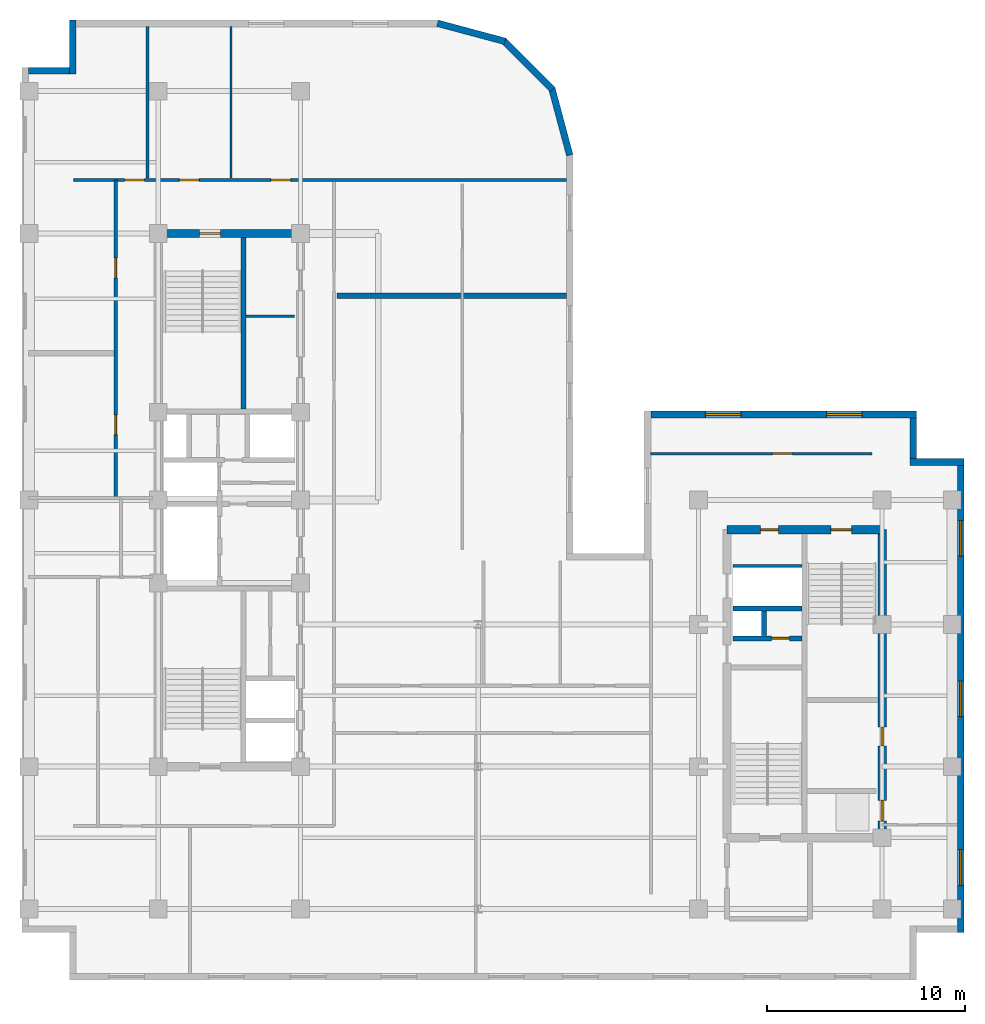
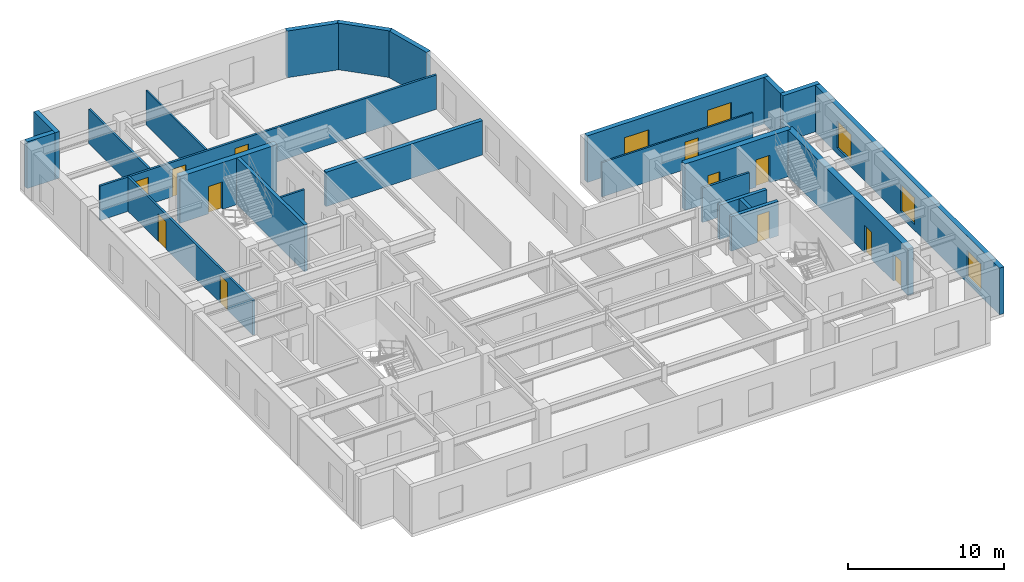
# One storey, part 6 of 11: 24 walls, 12 doors, 5 windows, 17 openings.
"""IFC4 building model written with IfcOpenShell, lengths in metres."""

from ifc_helpers import new_model, entity, si_unit, converted_unit, direction, frame, origin_with_axes, origin_2d_with_axis, place, context, subcontext, project, spatial, polyline, rectangle, outline, extrude, material, layer, layer_set, type_object, element, fill, save


model = new_model("IFC4")

# Units and contexts
model_context = context("Model", 3, precision=1e-05, world=origin_with_axes(), true_north=direction((0.0, 1.0)))
body_context = subcontext(model_context, "Body", "Model", "MODEL_VIEW")
ifc_project = project(units=[si_unit("LENGTHUNIT", "METRE"), si_unit("AREAUNIT", "SQUARE_METRE"), si_unit("VOLUMEUNIT", "CUBIC_METRE"), converted_unit("PLANEANGLEUNIT", "DEGREE", entity("IfcPlaneAngleMeasure", 0.017453292519943295), si_unit("PLANEANGLEUNIT", "RADIAN"), dimensions=[0, 0, 0, 0, 0, 0, 0]), si_unit("MASSUNIT", "GRAM", prefix="KILO"), si_unit("THERMODYNAMICTEMPERATUREUNIT", "KELVIN")], contexts=[model_context])

# Site, building, storey
site_placement = place(None, origin_with_axes())
site = spatial("IfcSite", under=ifc_project, at=site_placement, CompositionType="ELEMENT")
building_placement = place(site_placement, origin_with_axes())
building = spatial("IfcBuilding", under=site, at=building_placement, Name="Varnlund Millrace Tower", CompositionType="ELEMENT")
storey_placement = place(building_placement, frame((0.0, 0.0, 224.7), z_axis=(0.0, 0.0, 1.0), x_axis=(1.0, 0.0, 0.0)))
storey = spatial("IfcBuildingStorey", under=building, at=storey_placement, Name="L55", CompositionType="ELEMENT", Elevation=224.7)

# Wall, opening, door
ifc_material_1 = material(Name="Concrete C60/75", Category="concrete")
ifc_layer_1 = layer(ifc_material_1, 0.42, Name="Concrete C60/75")
ifc_layer_set_1 = layer_set([ifc_layer_1], Name="Concrete C60/75")
wall_type_1 = type_object("IfcWallType", Name="Type-CoreWall-Shear-420-C60", PredefinedType="SHEAR", material=ifc_layer_set_1)
wall_1_placement = place(storey_placement, frame((11.4, 37.8, 0.0), z_axis=(0.0, 0.0, 1.0), x_axis=(1.0, 0.0, 0.0)))
wall_1 = element("IfcWall", 1, at=wall_1_placement, inside=storey, type_object=wall_type_1, Name="Type-CoreWall-Shear-420-C60", PredefinedType="SHEAR", context=body_context, shape_type="SweptSolid", body=[
    extrude(outline(polyline([(0.0, -0.21), (7.2, -0.21), (7.2, 0.21), (0.0, 0.21), (0.0, -0.21)])), origin_with_axes(), (0.0, 0.0, 1.0), 3.66),
])
opening_1_placement = place(wall_1_placement, frame((2.625, 0.0, 0.0), z_axis=(0.0, 0.0, 1.0), x_axis=(1.0, 0.0, 0.0)))
opening_1 = element("IfcOpeningElement", 2, at=opening_1_placement, cuts=wall_1, Name="Opening L55:DR-STA2", PredefinedType="OPENING", context=body_context, shape_type="SweptSolid", body=[
    extrude(rectangle(XDim=1.05, YDim=0.44, at=origin_2d_with_axis()), origin_with_axes(), (0.0, 0.0, 1.0), 2.15),
])
ifc_material_2 = material(Name="Fire-rated hollow steel door", Category="steel")
door_type_1 = type_object("IfcDoorType", Name="Type-FireDoor-Stair-1050X2150", OperationType="NOTDEFINED", PredefinedType="DOOR", material=ifc_material_2)
door_1_placement = place(wall_1_placement, frame((2.625, 0.0, 0.0), z_axis=(0.0, 0.0, 1.0), x_axis=(1.0, 0.0, 0.0)))
door_1 = element("IfcDoor", 3, at=door_1_placement, inside=storey, type_object=door_type_1, Name="Type-FireDoor-Stair-1050X2150", OperationType="SINGLE_SWING_RIGHT", OverallHeight=2.15, OverallWidth=1.05, PredefinedType="DOOR", context=body_context, shape_type="SweptSolid", body=[
    extrude(rectangle(XDim=1.05, YDim=0.09, at=origin_2d_with_axis()), origin_with_axes(), (0.0, 0.0, 1.0), 2.15),
])
fill(opening_1, door_1)

# Wall, openings, doors
wall_2_placement = place(storey_placement, frame((40.2, 22.8, 0.0), z_axis=(0.0, 0.0, 1.0), x_axis=(1.0, 0.0, 0.0)))
wall_2 = element("IfcWall", 4, at=wall_2_placement, inside=storey, type_object=wall_type_1, Name="Type-CoreWall-Shear-420-C60", PredefinedType="SHEAR", context=body_context, shape_type="SweptSolid", body=[
    extrude(outline(polyline([(0.0, -0.21), (7.85, -0.21), (7.85, 0.21), (0.0, 0.21), (0.0, -0.21)])), origin_with_axes(), (0.0, 0.0, 1.0), 3.66),
])
opening_2_placement = place(wall_2_placement, frame((5.775, 0.0, 0.0), z_axis=(0.0, 0.0, 1.0), x_axis=(1.0, 0.0, 0.0)))
opening_2 = element("IfcOpeningElement", 5, at=opening_2_placement, cuts=wall_2, Name="Opening L55:DR-STB2", PredefinedType="OPENING", context=body_context, shape_type="SweptSolid", body=[
    extrude(rectangle(XDim=1.05, YDim=0.44, at=origin_2d_with_axis()), origin_with_axes(), (0.0, 0.0, 1.0), 2.15),
])
opening_3_placement = place(wall_2_placement, frame((2.15, 0.0, 0.0), z_axis=(0.0, 0.0, 1.0), x_axis=(1.0, 0.0, 0.0)))
opening_3 = element("IfcOpeningElement", 6, at=opening_3_placement, cuts=wall_2, Name="Opening L55:DR-CB-NW", PredefinedType="OPENING", context=body_context, shape_type="SweptSolid", body=[
    extrude(rectangle(XDim=0.9, YDim=0.44, at=origin_2d_with_axis()), origin_with_axes(), (0.0, 0.0, 1.0), 2.15),
])
ifc_material_3 = material(Name="Fire-rated hollow steel service closet door", Category="steel")
door_type_2 = type_object("IfcDoorType", Name="Type-FireDoor-Closet-900X2150", OperationType="NOTDEFINED", PredefinedType="DOOR", material=ifc_material_3)
door_2_placement = place(wall_2_placement, frame((2.15, 0.0, 0.0), z_axis=(0.0, 0.0, 1.0), x_axis=(1.0, 0.0, 0.0)))
door_2 = element("IfcDoor", 7, at=door_2_placement, inside=storey, type_object=door_type_2, Name="Type-FireDoor-Closet-900X2150", OperationType="SINGLE_SWING_LEFT", OverallHeight=2.15, OverallWidth=0.9, PredefinedType="DOOR", context=body_context, shape_type="SweptSolid", body=[
    extrude(rectangle(XDim=0.9, YDim=0.09, at=origin_2d_with_axis()), origin_with_axes(), (0.0, 0.0, 1.0), 2.15),
])
fill(opening_3, door_2)
door_3_placement = place(wall_2_placement, frame((5.775, 0.0, 0.0), z_axis=(0.0, 0.0, 1.0), x_axis=(1.0, 0.0, 0.0)))
door_3 = element("IfcDoor", 8, at=door_3_placement, inside=storey, type_object=door_type_1, Name="Type-FireDoor-Stair-1050X2150", OperationType="SINGLE_SWING_RIGHT", OverallHeight=2.15, OverallWidth=1.05, PredefinedType="DOOR", context=body_context, shape_type="SweptSolid", body=[
    extrude(rectangle(XDim=1.05, YDim=0.09, at=origin_2d_with_axis()), origin_with_axes(), (0.0, 0.0, 1.0), 2.15),
])
fill(opening_2, door_3)

wall_3_placement = place(storey_placement, frame((48.05, 7.2, 0.0), z_axis=(0.0, 0.0, 1.0), x_axis=(0.0, 1.0, 0.0)))
wall_3 = element("IfcWall", 9, at=wall_3_placement, inside=storey, type_object=wall_type_1, Name="Type-CoreWall-Shear-420-C60", PredefinedType="SHEAR", context=body_context, shape_type="SweptSolid", body=[
    extrude(outline(polyline([(0.0, -0.21), (15.6, -0.21), (15.6, 0.21), (0.0, 0.21), (0.0, -0.21)])), origin_with_axes(), (0.0, 0.0, 1.0), 3.66),
])
opening_4_placement = place(wall_3_placement, frame((1.375, 0.0, 0.0), z_axis=(0.0, 0.0, 1.0), x_axis=(1.0, 0.0, 0.0)))
opening_4 = element("IfcOpeningElement", 10, at=opening_4_placement, cuts=wall_3, Name="Opening L55:LD-ELV-H3", PredefinedType="OPENING", context=body_context, shape_type="SweptSolid", body=[
    extrude(rectangle(XDim=1.05, YDim=0.44, at=origin_2d_with_axis()), origin_with_axes(), (0.0, 0.0, 1.0), 2.15),
])
opening_5_placement = place(wall_3_placement, frame((5.125, 0.0, 0.0), z_axis=(0.0, 0.0, 1.0), x_axis=(1.0, 0.0, 0.0)))
opening_5 = element("IfcOpeningElement", 11, at=opening_5_placement, cuts=wall_3, Name="Opening L55:DR-CB-WC", PredefinedType="OPENING", context=body_context, shape_type="SweptSolid", body=[
    extrude(rectangle(XDim=0.95, YDim=0.44, at=origin_2d_with_axis()), origin_with_axes(), (0.0, 0.0, 1.0), 2.15),
])
ifc_material_4 = material(Name="Fire-rated hollow steel core service door", Category="steel")
door_type_3 = type_object("IfcDoorType", Name="Type-FireDoor-Service-950X2150", OperationType="NOTDEFINED", PredefinedType="DOOR", material=ifc_material_4)
door_4_placement = place(wall_3_placement, frame((5.125, 0.0, 0.0), z_axis=(0.0, 0.0, 1.0), x_axis=(1.0, 0.0, 0.0)))
door_4 = element("IfcDoor", 12, at=door_4_placement, inside=storey, type_object=door_type_3, Name="Type-FireDoor-Service-950X2150", OperationType="SINGLE_SWING_LEFT", OverallHeight=2.15, OverallWidth=0.95, PredefinedType="DOOR", context=body_context, shape_type="SweptSolid", body=[
    extrude(rectangle(XDim=0.95, YDim=0.09, at=origin_2d_with_axis()), origin_with_axes(), (0.0, 0.0, 1.0), 2.15),
])
fill(opening_5, door_4)
ifc_material_5 = material(Name="Architectural bronze sliding landing door")
door_type_4 = type_object("IfcDoorType", Name="Type-LiftLandingDoor-Compact-1050X2150", OperationType="NOTDEFINED", PredefinedType="DOOR", material=ifc_material_5)
door_5_placement = place(wall_3_placement, frame((1.375, 0.0, 0.0), z_axis=(0.0, 0.0, 1.0), x_axis=(1.0, 0.0, 0.0)))
door_5 = element("IfcDoor", 13, at=door_5_placement, inside=storey, type_object=door_type_4, Name="Type-LiftLandingDoor-Compact-1050X2150", OperationType="SLIDING_TO_LEFT", OverallHeight=2.15, OverallWidth=1.05, PredefinedType="DOOR", context=body_context, shape_type="SweptSolid", body=[
    extrude(rectangle(XDim=1.05, YDim=0.09, at=origin_2d_with_axis()), origin_with_axes(), (0.0, 0.0, 1.0), 2.15),
])
fill(opening_4, door_5)

# Wall, openings, windows
ifc_material_6 = material(Name="Precast concrete C50/60", Category="concrete")
ifc_layer_2 = layer(ifc_material_6, 0.34, Name="Precast concrete C50/60")
ifc_layer_set_2 = layer_set([ifc_layer_2], Name="Precast concrete C50/60")
wall_type_2 = type_object("IfcWallType", Name="Type-ExtWall-Precast-Upper-340", PredefinedType="SOLIDWALL", material=ifc_layer_set_2)
wall_4_placement = place(storey_placement, frame((36.34, 28.63, 0.0), z_axis=(0.0, 0.0, 1.0), x_axis=(1.0, 0.0, 0.0)))
wall_4 = element("IfcWall", 14, at=wall_4_placement, inside=storey, type_object=wall_type_2, Name="Type-ExtWall-Precast-Upper-340", PredefinedType="SOLIDWALL", context=body_context, shape_type="SweptSolid", body=[
    extrude(outline(polyline([(0.0, -0.17), (13.46, -0.17), (13.46, 0.17), (0.0, 0.17), (0.0, -0.17)])), origin_with_axes(), (0.0, 0.0, 1.0), 3.66),
])
opening_6_placement = place(wall_4_placement, frame((3.665, 0.0, 0.45), z_axis=(0.0, 0.0, 1.0), x_axis=(1.0, 0.0, 0.0)))
opening_6 = element("IfcOpeningElement", 15, at=opening_6_placement, cuts=wall_4, Name="Opening L55:WN-02", PredefinedType="OPENING", context=body_context, shape_type="SweptSolid", body=[
    extrude(rectangle(XDim=1.8, YDim=0.36, at=origin_2d_with_axis()), origin_with_axes(), (0.0, 0.0, 1.0), 2.1),
])
opening_7_placement = place(wall_4_placement, frame((9.795, 0.0, 0.45), z_axis=(0.0, 0.0, 1.0), x_axis=(1.0, 0.0, 0.0)))
opening_7 = element("IfcOpeningElement", 16, at=opening_7_placement, cuts=wall_4, Name="Opening L55:WN-03", PredefinedType="OPENING", context=body_context, shape_type="SweptSolid", body=[
    extrude(rectangle(XDim=1.8, YDim=0.36, at=origin_2d_with_axis()), origin_with_axes(), (0.0, 0.0, 1.0), 2.1),
])
ifc_material_7 = material(Name="Argon low-e triple glazing in thermally broken bronze frame", Category="glass")
window_type = type_object("IfcWindowType", Name="Type-Window-Punched-1800X2100", PartitioningType="SINGLE_PANEL", PredefinedType="WINDOW", material=ifc_material_7)
window_1_placement = place(wall_4_placement, frame((3.665, 0.0, 0.45), z_axis=(0.0, 0.0, 1.0), x_axis=(1.0, 0.0, 0.0)))
window_1 = element("IfcWindow", 17, at=window_1_placement, inside=storey, type_object=window_type, Name="Type-Window-Punched-1800X2100", OverallHeight=2.1, OverallWidth=1.8, PredefinedType="WINDOW", context=body_context, shape_type="SweptSolid", body=[
    extrude(rectangle(XDim=1.8, YDim=0.09, at=origin_2d_with_axis()), origin_with_axes(), (0.0, 0.0, 1.0), 2.1),
])
fill(opening_6, window_1)
window_2_placement = place(wall_4_placement, frame((9.795, 0.0, 0.45), z_axis=(0.0, 0.0, 1.0), x_axis=(1.0, 0.0, 0.0)))
window_2 = element("IfcWindow", 18, at=window_2_placement, inside=storey, type_object=window_type, Name="Type-Window-Punched-1800X2100", OverallHeight=2.1, OverallWidth=1.8, PredefinedType="WINDOW", context=body_context, shape_type="SweptSolid", body=[
    extrude(rectangle(XDim=1.8, YDim=0.09, at=origin_2d_with_axis()), origin_with_axes(), (0.0, 0.0, 1.0), 2.1),
])
fill(opening_7, window_2)

# Walls
wall_5_placement = place(storey_placement, frame((49.63, 28.46, 0.0), z_axis=(0.0, 0.0, 1.0), x_axis=(0.0, -1.0, 0.0)))
element("IfcWall", 19, at=wall_5_placement, inside=storey, type_object=wall_type_2, Name="Type-ExtWall-Precast-Upper-340", PredefinedType="SOLIDWALL", context=body_context, shape_type="SweptSolid", body=[
    extrude(outline(polyline([(0.0, -0.17), (2.06, -0.17), (2.06, 0.17), (0.0, 0.17), (0.0, -0.17)])), origin_with_axes(), (0.0, 0.0, 1.0), 3.66),
])
wall_6_placement = place(storey_placement, frame((49.46, 26.23, 0.0), z_axis=(0.0, 0.0, 1.0), x_axis=(1.0, 0.0, 0.0)))
element("IfcWall", 20, at=wall_6_placement, inside=storey, type_object=wall_type_2, Name="Type-ExtWall-Precast-Upper-340", PredefinedType="SOLIDWALL", context=body_context, shape_type="SweptSolid", body=[
    extrude(outline(polyline([(0.0, -0.17), (2.74, -0.17), (2.74, 0.17), (0.0, 0.17), (0.0, -0.17)])), origin_with_axes(), (0.0, 0.0, 1.0), 3.66),
])

# Wall, openings, windows
wall_7_placement = place(storey_placement, frame((52.03, 26.06, 0.0), z_axis=(0.0, 0.0, 1.0), x_axis=(0.0, -1.0, 0.0)))
wall_7 = element("IfcWall", 21, at=wall_7_placement, inside=storey, type_object=wall_type_2, Name="Type-ExtWall-Precast-Upper-340", PredefinedType="SOLIDWALL", context=body_context, shape_type="SweptSolid", body=[
    extrude(outline(polyline([(0.0, -0.17), (23.66, -0.17), (23.66, 0.17), (0.0, 0.17), (0.0, -0.17)])), origin_with_axes(), (0.0, 0.0, 1.0), 3.66),
])
opening_8_placement = place(wall_7_placement, frame((3.696, 0.0, 0.45), z_axis=(0.0, 0.0, 1.0), x_axis=(1.0, 0.0, 0.0)))
opening_8 = element("IfcOpeningElement", 22, at=opening_8_placement, cuts=wall_7, Name="Opening L55:WN-04", PredefinedType="OPENING", context=body_context, shape_type="SweptSolid", body=[
    extrude(rectangle(XDim=1.8, YDim=0.36, at=origin_2d_with_axis()), origin_with_axes(), (0.0, 0.0, 1.0), 2.1),
])
opening_9_placement = place(wall_7_placement, frame((11.83, 0.0, 0.45), z_axis=(0.0, 0.0, 1.0), x_axis=(1.0, 0.0, 0.0)))
opening_9 = element("IfcOpeningElement", 23, at=opening_9_placement, cuts=wall_7, Name="Opening L55:WN-05", PredefinedType="OPENING", context=body_context, shape_type="SweptSolid", body=[
    extrude(rectangle(XDim=1.8, YDim=0.36, at=origin_2d_with_axis()), origin_with_axes(), (0.0, 0.0, 1.0), 2.1),
])
opening_10_placement = place(wall_7_placement, frame((20.364, 0.0, 0.45), z_axis=(0.0, 0.0, 1.0), x_axis=(1.0, 0.0, 0.0)))
opening_10 = element("IfcOpeningElement", 24, at=opening_10_placement, cuts=wall_7, Name="Opening L55:WN-06", PredefinedType="OPENING", context=body_context, shape_type="SweptSolid", body=[
    extrude(rectangle(XDim=1.8, YDim=0.36, at=origin_2d_with_axis()), origin_with_axes(), (0.0, 0.0, 1.0), 2.1),
])
window_3_placement = place(wall_7_placement, frame((3.696, 0.0, 0.45), z_axis=(0.0, 0.0, 1.0), x_axis=(1.0, 0.0, 0.0)))
window_3 = element("IfcWindow", 25, at=window_3_placement, inside=storey, type_object=window_type, Name="Type-Window-Punched-1800X2100", OverallHeight=2.1, OverallWidth=1.8, PredefinedType="WINDOW", context=body_context, shape_type="SweptSolid", body=[
    extrude(rectangle(XDim=1.8, YDim=0.09, at=origin_2d_with_axis()), origin_with_axes(), (0.0, 0.0, 1.0), 2.1),
])
fill(opening_8, window_3)
window_4_placement = place(wall_7_placement, frame((11.83, 0.0, 0.45), z_axis=(0.0, 0.0, 1.0), x_axis=(1.0, 0.0, 0.0)))
window_4 = element("IfcWindow", 26, at=window_4_placement, inside=storey, type_object=window_type, Name="Type-Window-Punched-1800X2100", OverallHeight=2.1, OverallWidth=1.8, PredefinedType="WINDOW", context=body_context, shape_type="SweptSolid", body=[
    extrude(rectangle(XDim=1.8, YDim=0.09, at=origin_2d_with_axis()), origin_with_axes(), (0.0, 0.0, 1.0), 2.1),
])
fill(opening_9, window_4)
window_5_placement = place(wall_7_placement, frame((20.364, 0.0, 0.45), z_axis=(0.0, 0.0, 1.0), x_axis=(1.0, 0.0, 0.0)))
window_5 = element("IfcWindow", 27, at=window_5_placement, inside=storey, type_object=window_type, Name="Type-Window-Punched-1800X2100", OverallHeight=2.1, OverallWidth=1.8, PredefinedType="WINDOW", context=body_context, shape_type="SweptSolid", body=[
    extrude(rectangle(XDim=1.8, YDim=0.09, at=origin_2d_with_axis()), origin_with_axes(), (0.0, 0.0, 1.0), 2.1),
])
fill(opening_10, window_5)

# Walls
wall_8_placement = place(storey_placement, frame((4.84, 46.03, 0.0), z_axis=(0.0, 0.0, 1.0), x_axis=(1.0, 0.0, 0.0)))
element("IfcWall", 28, at=wall_8_placement, inside=storey, type_object=wall_type_2, Name="Type-ExtWall-Precast-Upper-340", PredefinedType="SOLIDWALL", context=body_context, shape_type="SweptSolid", body=[
    extrude(outline(polyline([(0.0, -0.17), (2.06, -0.17), (2.06, 0.17), (0.0, 0.17), (0.0, -0.17)])), origin_with_axes(), (0.0, 0.0, 1.0), 3.66),
])
wall_9_placement = place(storey_placement, frame((7.07, 45.86, 0.0), z_axis=(0.0, 0.0, 1.0), x_axis=(0.0, 1.0, 0.0)))
element("IfcWall", 29, at=wall_9_placement, inside=storey, type_object=wall_type_2, Name="Type-ExtWall-Precast-Upper-340", PredefinedType="SOLIDWALL", context=body_context, shape_type="SweptSolid", body=[
    extrude(outline(polyline([(0.0, -0.17), (2.74, -0.17), (2.74, 0.17), (0.0, 0.17), (0.0, -0.17)])), origin_with_axes(), (0.0, 0.0, 1.0), 3.66),
])
wall_10_placement = place(storey_placement, frame((25.537, 48.441, 0.0), z_axis=(0.0, 0.0, 1.0), x_axis=(0.965934, -0.258788, 0.0)))
element("IfcWall", 30, at=wall_10_placement, inside=storey, type_object=wall_type_2, Name="Type-ExtWall-Precast-Upper-340", PredefinedType="SOLIDWALL", context=body_context, shape_type="SweptSolid", body=[
    extrude(outline(polyline([(0.0, -0.17), (3.539579, -0.17), (3.539579, 0.17), (0.0, 0.17), (0.0, -0.17)])), origin_with_axes(), (0.0, 0.0, 1.0), 3.66),
])
wall_11_placement = place(storey_placement, frame((28.866, 47.583, 0.0), z_axis=(0.0, 0.0, 1.0), x_axis=(0.707107, -0.707107, 0.0)))
element("IfcWall", 31, at=wall_11_placement, inside=storey, type_object=wall_type_2, Name="Type-ExtWall-Precast-Upper-340", PredefinedType="SOLIDWALL", context=body_context, shape_type="SweptSolid", body=[
    extrude(outline(polyline([(0.0, -0.17), (3.539777, -0.17), (3.539777, 0.17), (0.0, 0.17), (0.0, -0.17)])), origin_with_axes(), (0.0, 0.0, 1.0), 3.66),
])
wall_12_placement = place(storey_placement, frame((31.32, 45.175, 0.0), z_axis=(0.0, 0.0, 1.0), x_axis=(0.258788, -0.965934, 0.0)))
element("IfcWall", 32, at=wall_12_placement, inside=storey, type_object=wall_type_2, Name="Type-ExtWall-Precast-Upper-340", PredefinedType="SOLIDWALL", context=body_context, shape_type="SweptSolid", body=[
    extrude(outline(polyline([(0.0, -0.17), (3.539579, -0.17), (3.539579, 0.17), (0.0, 0.17), (0.0, -0.17)])), origin_with_axes(), (0.0, 0.0, 1.0), 3.66),
])
ifc_material_8 = material(Name="Double-stud STC-60 conference acoustic partition", Category="gypsum")
ifc_layer_3 = layer(ifc_material_8, 0.28, Name="Double-stud STC-60 conference acoustic partition")
ifc_layer_set_3 = layer_set([ifc_layer_3], Name="Double-stud STC-60 conference acoustic partition")
wall_type_3 = type_object("IfcWallType", Name="Type-Partition-Acoustic-280", PredefinedType="PARTITIONING", material=ifc_layer_set_3)
wall_13_placement = place(storey_placement, frame((20.45, 34.654, 0.0), z_axis=(0.0, 0.0, 1.0), x_axis=(1.0, 0.0, 0.0)))
element("IfcWall", 33, at=wall_13_placement, inside=storey, type_object=wall_type_3, Name="Type-Partition-Acoustic-280", PredefinedType="PARTITIONING", context=body_context, shape_type="SweptSolid", body=[
    extrude(outline(polyline([(0.0, -0.14), (11.615, -0.14), (11.615, 0.14), (0.0, 0.14), (0.0, -0.14)])), origin_with_axes(), (0.0, 0.0, 1.0), 2.7),
])
ifc_material_9 = material(Name="Fire-rated gypsum board on cold-formed steel framing", Category="steel")
ifc_layer_4 = layer(ifc_material_9, 0.16, Name="Fire-rated gypsum board on cold-formed steel framing")
ifc_layer_set_4 = layer_set([ifc_layer_4], Name="Fire-rated gypsum board on cold-formed steel framing")
wall_type_4 = type_object("IfcWallType", Name="Type-Partition-Corridor-160", PredefinedType="PARTITIONING", material=ifc_layer_set_4)
wall_14_placement = place(storey_placement, frame((40.5, 20.96, 0.0), z_axis=(0.0, 0.0, 1.0), x_axis=(1.0, 0.0, 0.0)))
element("IfcWall", 34, at=wall_14_placement, inside=storey, type_object=wall_type_4, Name="Type-Partition-Corridor-160", PredefinedType="PARTITIONING", context=body_context, shape_type="SweptSolid", body=[
    extrude(outline(polyline([(0.0, -0.08), (3.5, -0.08), (3.5, 0.08), (0.0, 0.08), (0.0, -0.08)])), origin_with_axes(), (0.0, 0.0, 1.0), 2.7),
])

# Wall, openings, doors
wall_15_placement = place(storey_placement, frame((7.1, 40.5, 0.0), z_axis=(0.0, 0.0, 1.0), x_axis=(1.0, 0.0, 0.0)))
wall_15 = element("IfcWall", 35, at=wall_15_placement, inside=storey, type_object=wall_type_4, Name="Type-Partition-Corridor-160", PredefinedType="PARTITIONING", context=body_context, shape_type="SweptSolid", body=[
    extrude(outline(polyline([(0.0, -0.08), (24.965, -0.08), (24.965, 0.08), (0.0, 0.08), (0.0, -0.08)])), origin_with_axes(), (0.0, 0.0, 1.0), 2.7),
])
opening_11_placement = place(wall_15_placement, frame((3.093, 0.0, 0.0), z_axis=(0.0, 0.0, 1.0), x_axis=(1.0, 0.0, 0.0)))
opening_11 = element("IfcOpeningElement", 36, at=opening_11_placement, cuts=wall_15, Name="Opening L55:DR-WAN-01", PredefinedType="OPENING", context=body_context, shape_type="SweptSolid", body=[
    extrude(rectangle(XDim=1.0, YDim=0.18, at=origin_2d_with_axis()), origin_with_axes(), (0.0, 0.0, 1.0), 2.15),
])
opening_12_placement = place(wall_15_placement, frame((5.873, 0.0, 0.0), z_axis=(0.0, 0.0, 1.0), x_axis=(1.0, 0.0, 0.0)))
opening_12 = element("IfcOpeningElement", 37, at=opening_12_placement, cuts=wall_15, Name="Opening L55:DR-WAN-02", PredefinedType="OPENING", context=body_context, shape_type="SweptSolid", body=[
    extrude(rectangle(XDim=1.0, YDim=0.18, at=origin_2d_with_axis()), origin_with_axes(), (0.0, 0.0, 1.0), 2.15),
])
opening_13_placement = place(wall_15_placement, frame((10.5015, 0.0, 0.0), z_axis=(0.0, 0.0, 1.0), x_axis=(1.0, 0.0, 0.0)))
opening_13 = element("IfcOpeningElement", 38, at=opening_13_placement, cuts=wall_15, Name="Opening L55:DR-WAN-03", PredefinedType="OPENING", context=body_context, shape_type="SweptSolid", body=[
    extrude(rectangle(XDim=1.0, YDim=0.18, at=origin_2d_with_axis()), origin_with_axes(), (0.0, 0.0, 1.0), 2.15),
])
ifc_material_10 = material(Name="Solid-core white oak and bronze frame door")
door_type_5 = type_object("IfcDoorType", Name="Type-IntDoor-Office-1000X2150", OperationType="NOTDEFINED", PredefinedType="DOOR", material=ifc_material_10)
door_6_placement = place(wall_15_placement, frame((3.093, 0.0, 0.0), z_axis=(0.0, 0.0, 1.0), x_axis=(1.0, 0.0, 0.0)))
door_6 = element("IfcDoor", 39, at=door_6_placement, inside=storey, type_object=door_type_5, Name="Type-IntDoor-Office-1000X2150", OperationType="SINGLE_SWING_LEFT", OverallHeight=2.15, OverallWidth=1.0, PredefinedType="DOOR", context=body_context, shape_type="SweptSolid", body=[
    extrude(rectangle(XDim=1.0, YDim=0.09, at=origin_2d_with_axis()), origin_with_axes(), (0.0, 0.0, 1.0), 2.15),
])
fill(opening_11, door_6)
door_7_placement = place(wall_15_placement, frame((5.873, 0.0, 0.0), z_axis=(0.0, 0.0, 1.0), x_axis=(1.0, 0.0, 0.0)))
door_7 = element("IfcDoor", 40, at=door_7_placement, inside=storey, type_object=door_type_5, Name="Type-IntDoor-Office-1000X2150", OperationType="SINGLE_SWING_RIGHT", OverallHeight=2.15, OverallWidth=1.0, PredefinedType="DOOR", context=body_context, shape_type="SweptSolid", body=[
    extrude(rectangle(XDim=1.0, YDim=0.09, at=origin_2d_with_axis()), origin_with_axes(), (0.0, 0.0, 1.0), 2.15),
])
fill(opening_12, door_7)
door_8_placement = place(wall_15_placement, frame((10.5015, 0.0, 0.0), z_axis=(0.0, 0.0, 1.0), x_axis=(1.0, 0.0, 0.0)))
door_8 = element("IfcDoor", 41, at=door_8_placement, inside=storey, type_object=door_type_5, Name="Type-IntDoor-Office-1000X2150", OperationType="SINGLE_SWING_LEFT", OverallHeight=2.15, OverallWidth=1.0, PredefinedType="DOOR", context=body_context, shape_type="SweptSolid", body=[
    extrude(rectangle(XDim=1.0, YDim=0.09, at=origin_2d_with_axis()), origin_with_axes(), (0.0, 0.0, 1.0), 2.15),
])
fill(opening_13, door_8)

wall_16_placement = place(storey_placement, frame((9.25, 24.4, 0.0), z_axis=(0.0, 0.0, 1.0), x_axis=(0.0, 1.0, 0.0)))
wall_16 = element("IfcWall", 42, at=wall_16_placement, inside=storey, type_object=wall_type_4, Name="Type-Partition-Corridor-160", PredefinedType="PARTITIONING", context=body_context, shape_type="SweptSolid", body=[
    extrude(outline(polyline([(0.0, -0.08), (16.1, -0.08), (16.1, 0.08), (0.0, 0.08), (0.0, -0.08)])), origin_with_axes(), (0.0, 0.0, 1.0), 2.7),
])
opening_14_placement = place(wall_16_placement, frame((3.7085, 0.0, 0.0), z_axis=(0.0, 0.0, 1.0), x_axis=(1.0, 0.0, 0.0)))
opening_14 = element("IfcOpeningElement", 43, at=opening_14_placement, cuts=wall_16, Name="Opening L55:DR-WN-01", PredefinedType="OPENING", context=body_context, shape_type="SweptSolid", body=[
    extrude(rectangle(XDim=1.0, YDim=0.18, at=origin_2d_with_axis()), origin_with_axes(), (0.0, 0.0, 1.0), 2.15),
])
opening_15_placement = place(wall_16_placement, frame((11.6535, 0.0, 0.0), z_axis=(0.0, 0.0, 1.0), x_axis=(1.0, 0.0, 0.0)))
opening_15 = element("IfcOpeningElement", 44, at=opening_15_placement, cuts=wall_16, Name="Opening L55:DR-WN-02", PredefinedType="OPENING", context=body_context, shape_type="SweptSolid", body=[
    extrude(rectangle(XDim=1.0, YDim=0.18, at=origin_2d_with_axis()), origin_with_axes(), (0.0, 0.0, 1.0), 2.15),
])
door_9_placement = place(wall_16_placement, frame((3.7085, 0.0, 0.0), z_axis=(0.0, 0.0, 1.0), x_axis=(1.0, 0.0, 0.0)))
door_9 = element("IfcDoor", 45, at=door_9_placement, inside=storey, type_object=door_type_5, Name="Type-IntDoor-Office-1000X2150", OperationType="SINGLE_SWING_LEFT", OverallHeight=2.15, OverallWidth=1.0, PredefinedType="DOOR", context=body_context, shape_type="SweptSolid", body=[
    extrude(rectangle(XDim=1.0, YDim=0.09, at=origin_2d_with_axis()), origin_with_axes(), (0.0, 0.0, 1.0), 2.15),
])
fill(opening_14, door_9)
door_10_placement = place(wall_16_placement, frame((11.6535, 0.0, 0.0), z_axis=(0.0, 0.0, 1.0), x_axis=(1.0, 0.0, 0.0)))
door_10 = element("IfcDoor", 46, at=door_10_placement, inside=storey, type_object=door_type_5, Name="Type-IntDoor-Office-1000X2150", OperationType="SINGLE_SWING_RIGHT", OverallHeight=2.15, OverallWidth=1.0, PredefinedType="DOOR", context=body_context, shape_type="SweptSolid", body=[
    extrude(rectangle(XDim=1.0, YDim=0.09, at=origin_2d_with_axis()), origin_with_axes(), (0.0, 0.0, 1.0), 2.15),
])
fill(opening_15, door_10)

# Walls
ifc_material_11 = material(Name="Acoustic STC-50 gypsum board partition", Category="gypsum")
ifc_layer_5 = layer(ifc_material_11, 0.15, Name="Acoustic STC-50 gypsum board partition")
ifc_layer_set_5 = layer_set([ifc_layer_5], Name="Acoustic STC-50 gypsum board partition")
wall_type_5 = type_object("IfcWallType", Name="Type-Partition-Demising-150", PredefinedType="PARTITIONING", material=ifc_layer_set_5)
wall_17_placement = place(storey_placement, frame((10.863, 40.6, 0.0), z_axis=(0.0, 0.0, 1.0), x_axis=(0.0, 1.0, 0.0)))
element("IfcWall", 47, at=wall_17_placement, inside=storey, type_object=wall_type_5, Name="Type-Partition-Demising-150", PredefinedType="PARTITIONING", context=body_context, shape_type="SweptSolid", body=[
    extrude(outline(polyline([(0.0, -0.075), (7.665, -0.075), (7.665, 0.075), (0.0, 0.075), (0.0, -0.075)])), origin_with_axes(), (0.0, 0.0, 1.0), 2.7),
])
ifc_material_12 = material(Name="Gypsum board tenant partition", Category="gypsum")
ifc_layer_6 = layer(ifc_material_12, 0.125, Name="Gypsum board tenant partition")
ifc_layer_set_6 = layer_set([ifc_layer_6], Name="Gypsum board tenant partition")
wall_type_6 = type_object("IfcWallType", Name="Type-Partition-Tenant-125", PredefinedType="PARTITIONING", material=ifc_layer_set_6)
wall_18_placement = place(storey_placement, frame((15.083, 40.6, 0.0), z_axis=(0.0, 0.0, 1.0), x_axis=(0.0, 1.0, 0.0)))
element("IfcWall", 48, at=wall_18_placement, inside=storey, type_object=wall_type_6, Name="Type-Partition-Tenant-125", PredefinedType="PARTITIONING", context=body_context, shape_type="SweptSolid", body=[
    extrude(outline(polyline([(0.0, -0.0625), (7.665, -0.0625), (7.665, 0.0625), (0.0, 0.0625), (0.0, -0.0625)])), origin_with_axes(), (0.0, 0.0, 1.0), 2.7),
])

# Wall, opening, door
wall_19_placement = place(storey_placement, frame((36.335, 26.65, 0.0), z_axis=(0.0, 0.0, 1.0), x_axis=(1.0, 0.0, 0.0)))
wall_19 = element("IfcWall", 49, at=wall_19_placement, inside=storey, type_object=wall_type_6, Name="Type-Partition-Tenant-125", PredefinedType="PARTITIONING", context=body_context, shape_type="SweptSolid", body=[
    extrude(outline(polyline([(0.0, -0.0625), (11.195, -0.0625), (11.195, 0.0625), (0.0, 0.0625), (0.0, -0.0625)])), origin_with_axes(), (0.0, 0.0, 1.0), 2.7),
])
opening_16_placement = place(wall_19_placement, frame((6.665, 0.0, 0.0), z_axis=(0.0, 0.0, 1.0), x_axis=(1.0, 0.0, 0.0)))
opening_16 = element("IfcOpeningElement", 50, at=opening_16_placement, cuts=wall_19, Name="Opening L55:DR-WBN-01", PredefinedType="OPENING", context=body_context, shape_type="SweptSolid", body=[
    extrude(rectangle(XDim=1.0, YDim=0.145, at=origin_2d_with_axis()), origin_with_axes(), (0.0, 0.0, 1.0), 2.15),
])
door_11_placement = place(wall_19_placement, frame((6.665, 0.0, 0.0), z_axis=(0.0, 0.0, 1.0), x_axis=(1.0, 0.0, 0.0)))
door_11 = element("IfcDoor", 51, at=door_11_placement, inside=storey, type_object=door_type_5, Name="Type-IntDoor-Office-1000X2150", OperationType="SINGLE_SWING_RIGHT", OverallHeight=2.15, OverallWidth=1.0, PredefinedType="DOOR", context=body_context, shape_type="SweptSolid", body=[
    extrude(rectangle(XDim=1.0, YDim=0.075, at=origin_2d_with_axis()), origin_with_axes(), (0.0, 0.0, 1.0), 2.15),
])
fill(opening_16, door_11)

# Wall
ifc_material_13 = material(Name="Moisture-resistant gypsum restroom partition", Category="gypsum")
ifc_layer_7 = layer(ifc_material_13, 0.14, Name="Moisture-resistant gypsum restroom partition")
ifc_layer_set_7 = layer_set([ifc_layer_7], Name="Moisture-resistant gypsum restroom partition")
wall_type_7 = type_object("IfcWallType", Name="Type-Partition-Wet-140", PredefinedType="PARTITIONING", material=ifc_layer_set_7)
wall_20_placement = place(storey_placement, frame((15.84, 33.6, 0.0), z_axis=(0.0, 0.0, 1.0), x_axis=(1.0, 0.0, 0.0)))
element("IfcWall", 52, at=wall_20_placement, inside=storey, type_object=wall_type_7, Name="Type-Partition-Wet-140", PredefinedType="PARTITIONING", context=body_context, shape_type="SweptSolid", body=[
    extrude(outline(polyline([(0.0, -0.07), (2.46, -0.07), (2.46, 0.07), (0.0, 0.07), (0.0, -0.07)])), origin_with_axes(), (0.0, 0.0, 1.0), 2.7),
])

# Wall, opening, door
ifc_layer_8 = layer(ifc_material_1, 0.25, Name="Concrete C60/75")
ifc_layer_set_8 = layer_set([ifc_layer_8], Name="Concrete C60/75")
wall_type_8 = type_object("IfcWallType", Name="Type-ShaftWall-Fire-250", PredefinedType="SOLIDWALL", material=ifc_layer_set_8)
wall_21_placement = place(storey_placement, frame((40.5, 17.3, 0.0), z_axis=(0.0, 0.0, 1.0), x_axis=(1.0, 0.0, 0.0)))
wall_21 = element("IfcWall", 53, at=wall_21_placement, inside=storey, type_object=wall_type_8, Name="Type-ShaftWall-Fire-250", PredefinedType="SOLIDWALL", context=body_context, shape_type="SweptSolid", body=[
    extrude(outline(polyline([(0.0, -0.125), (3.5, -0.125), (3.5, 0.125), (0.0, 0.125), (0.0, -0.125)])), origin_with_axes(), (0.0, 0.0, 1.0), 2.7),
])
opening_17_placement = place(wall_21_placement, frame((2.4, 0.0, 0.0), z_axis=(0.0, 0.0, 1.0), x_axis=(1.0, 0.0, 0.0)))
opening_17 = element("IfcOpeningElement", 54, at=opening_17_placement, cuts=wall_21, Name="Opening L55:DR-CB-ELC", PredefinedType="OPENING", context=body_context, shape_type="SweptSolid", body=[
    extrude(rectangle(XDim=0.9, YDim=0.27, at=origin_2d_with_axis()), origin_with_axes(), (0.0, 0.0, 1.0), 2.15),
])
door_12_placement = place(wall_21_placement, frame((2.4, 0.0, 0.0), z_axis=(0.0, 0.0, 1.0), x_axis=(1.0, 0.0, 0.0)))
door_12 = element("IfcDoor", 55, at=door_12_placement, inside=storey, type_object=door_type_2, Name="Type-FireDoor-Closet-900X2150", OperationType="SINGLE_SWING_LEFT", OverallHeight=2.15, OverallWidth=0.9, PredefinedType="DOOR", context=body_context, shape_type="SweptSolid", body=[
    extrude(rectangle(XDim=0.9, YDim=0.09, at=origin_2d_with_axis()), origin_with_axes(), (0.0, 0.0, 1.0), 2.15),
])
fill(opening_17, door_12)

# Walls
wall_22_placement = place(storey_placement, frame((40.5, 18.8, 0.0), z_axis=(0.0, 0.0, 1.0), x_axis=(1.0, 0.0, 0.0)))
element("IfcWall", 56, at=wall_22_placement, inside=storey, type_object=wall_type_8, Name="Type-ShaftWall-Fire-250", PredefinedType="SOLIDWALL", context=body_context, shape_type="SweptSolid", body=[
    extrude(outline(polyline([(0.0, -0.125), (3.5, -0.125), (3.5, 0.125), (0.0, 0.125), (0.0, -0.125)])), origin_with_axes(), (0.0, 0.0, 1.0), 2.7),
])
wall_23_placement = place(storey_placement, frame((42.075, 17.43, 0.0), z_axis=(0.0, 0.0, 1.0), x_axis=(0.0, 1.0, 0.0)))
element("IfcWall", 57, at=wall_23_placement, inside=storey, type_object=wall_type_8, Name="Type-ShaftWall-Fire-250", PredefinedType="SOLIDWALL", context=body_context, shape_type="SweptSolid", body=[
    extrude(outline(polyline([(0.0, -0.125), (1.24, -0.125), (1.24, 0.125), (0.0, 0.125), (0.0, -0.125)])), origin_with_axes(), (0.0, 0.0, 1.0), 2.7),
])
wall_type_9 = type_object("IfcWallType", Name="Type-StairWall-Shear-250", PredefinedType="SHEAR", material=ifc_layer_set_8)
wall_24_placement = place(storey_placement, frame((15.725, 28.9, 0.0), z_axis=(0.0, 0.0, 1.0), x_axis=(0.0, 1.0, 0.0)))
element("IfcWall", 58, at=wall_24_placement, inside=storey, type_object=wall_type_9, Name="Type-StairWall-Shear-250", PredefinedType="SHEAR", context=body_context, shape_type="SweptSolid", body=[
    extrude(outline(polyline([(0.0, -0.125), (8.69, -0.125), (8.69, 0.125), (0.0, 0.125), (0.0, -0.125)])), origin_with_axes(), (0.0, 0.0, 1.0), 3.66),
])

save(model, "model.ifc")
